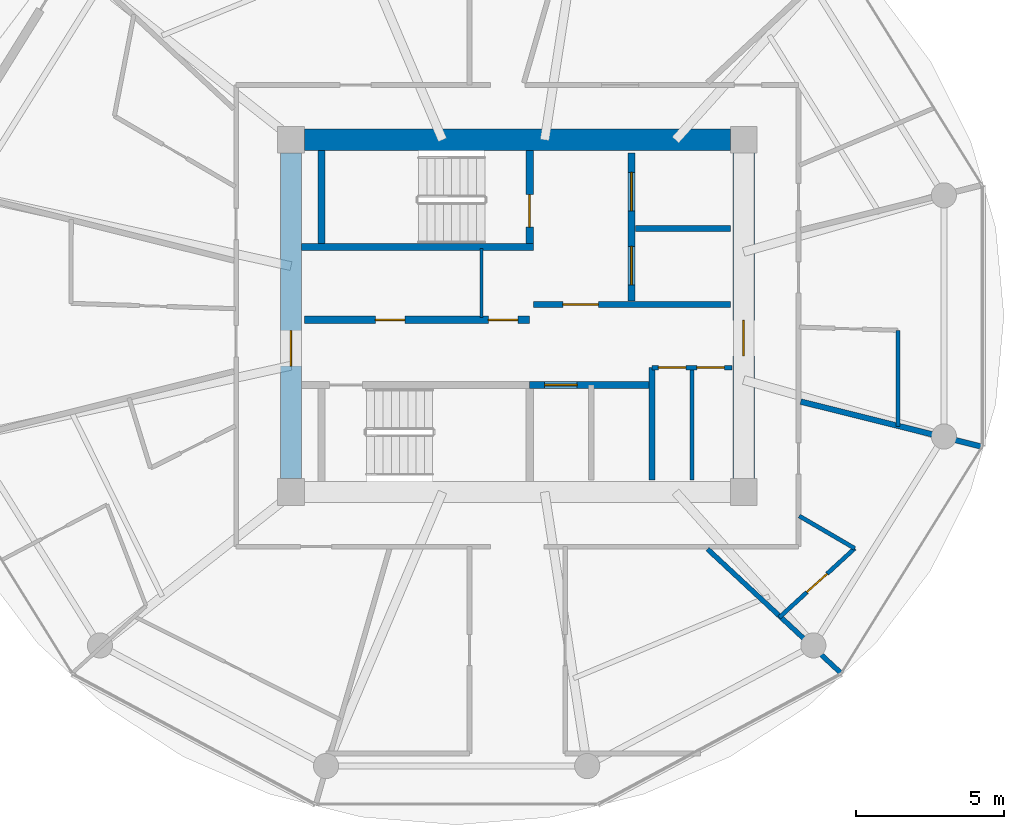
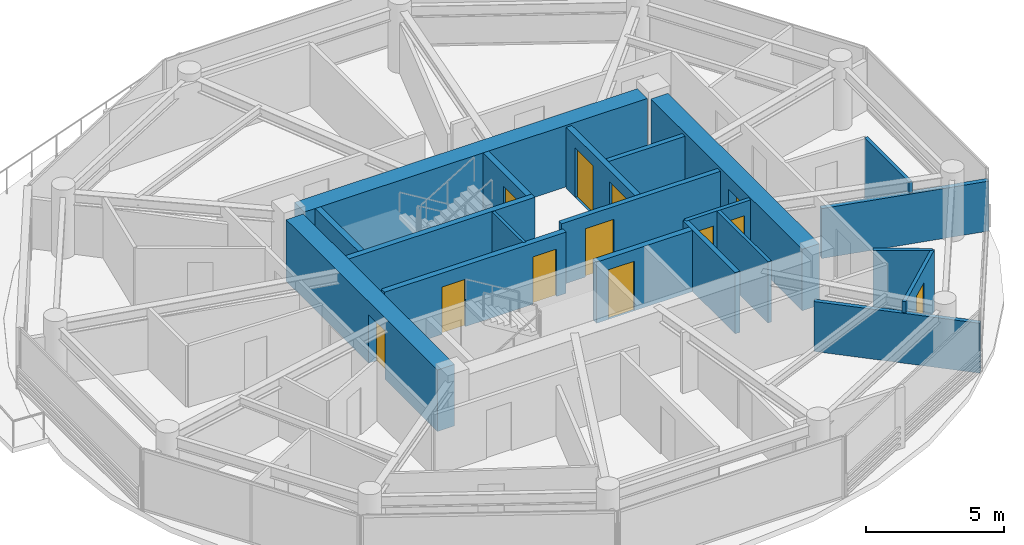
# One storey, part 17 of 22: 20 walls, 12 doors, 12 openings.
"""IFC4 building model written with IfcOpenShell, lengths in metres."""

from ifc_helpers import new_model, si_unit, direction, frame, frame_2d, origin, place, context, subcontext, project, spatial, rectangle, extrude, source, transform, mapped, material, layer, layer_set, type_object, type_shapes, element, fill, save


model = new_model("IFC4")

# Units and contexts
model_context = context("Model", 3, precision=1e-05, world=origin(), true_north=direction((0.0, 1.0)))
body_context = subcontext(model_context, "Body", "Model", "MODEL_VIEW")
ifc_project = project(units=[si_unit("LENGTHUNIT", "METRE"), si_unit("AREAUNIT", "SQUARE_METRE"), si_unit("VOLUMEUNIT", "CUBIC_METRE"), si_unit("PLANEANGLEUNIT", "RADIAN"), si_unit("MASSUNIT", "GRAM", prefix="KILO")], contexts=[model_context])

# Site, building, storey
site_placement = place(None, origin())
site = spatial("IfcSite", under=ifc_project, at=site_placement, CompositionType="ELEMENT")
building_placement = place(site_placement, origin())
building = spatial("IfcBuilding", under=site, at=building_placement, Name="Norrkilde Senior Care Towers", CompositionType="ELEMENT")
storey_placement = place(building_placement, frame((0.0, 0.0, 126.75)))
storey = spatial("IfcBuildingStorey", under=building, at=storey_placement, Name="L39", CompositionType="ELEMENT", Elevation=126.75)

# Wall
ifc_material_1 = material(Name="Concrete C60/75", Category="concrete")
ifc_layer_1 = layer(ifc_material_1, 0.719970703125)
ifc_layer_set_1 = layer_set([ifc_layer_1], Name="Concrete C60/75")
wall_type_1 = type_object("IfcWallType", Name="Core Shear Wall Z2 720", PredefinedType="SHEAR", material=ifc_layer_set_1)
shared_shape_1 = source(origin(), body_context, "Body", "SweptSolid", [
    extrude(rectangle(XDim=14.39990234375, YDim=0.719970703125, at=frame_2d((7.199951171875, 0.0))), origin(), (0.0, 0.0, 1.0), 2.72998046875),
])
wall_1_placement = place(storey_placement, frame((20.800048828125, 5.949951171875, 0.0), z_axis=(0.0, 0.0, 1.0), x_axis=(1.0, 0.0, 0.0)))
element("IfcWall", 1, at=wall_1_placement, inside=storey, type_object=wall_type_1, Name="L39 Core E North Shear Wall", PredefinedType="SHEAR", context=body_context, shape_type="MappedRepresentation", body=[
    mapped(shared_shape_1, transform((0.0, 0.0, 0.0), x_axis=(1.0, 0.0, 0.0), y_axis=(0.0, 1.0, 0.0), z_axis=(0.0, 0.0, 1.0), scale=1.0)),
])

# Wall, opening, door
shared_shape_2 = source(origin(), body_context, "Body", "SweptSolid", [
    extrude(rectangle(XDim=11.0, YDim=0.719970703125, at=frame_2d((5.5, 0.0))), origin(), (0.0, 0.0, 1.0), 2.72998046875),
])
type_shapes(wall_type_1, [shared_shape_1, shared_shape_2])
wall_2_placement = place(storey_placement, frame((20.35009765625, -5.5, 0.0), z_axis=(0.0, 0.0, 1.0), x_axis=(0.0, 1.0, 0.0)))
wall_2 = element("IfcWall", 2, at=wall_2_placement, inside=storey, type_object=wall_type_1, Name="L39 Core E West Shear Wall", PredefinedType="SHEAR", context=body_context, shape_type="MappedRepresentation", body=[
    mapped(shared_shape_2, transform((0.0, 0.0, 0.0), x_axis=(1.0, 0.0, 0.0), y_axis=(0.0, 1.0, 0.0), z_axis=(0.0, 0.0, 1.0), scale=1.0)),
])
opening_1_placement = place(wall_2_placement, frame((3.800048828125, 0.0, 0.0)))
opening_1 = element("IfcOpeningElement", 3, at=opening_1_placement, cuts=wall_2, Name="Opening D-04", PredefinedType="OPENING", context=body_context, shape_type="SweptSolid", body=[
    extrude(rectangle(XDim=1.199951171875, YDim=2.14990234375, at=frame_2d((0.60009765625, 1.074951171875))), frame((0.0, 0.369873046875, 0.0), z_axis=(0.0, -1.0, 0.0), x_axis=(1.0, 0.0, 0.0)), (0.0, 0.0, 1.0), 0.739990234375),
])
ifc_material_2 = material(Name="Galvanised Painted Steel", Category="steel")
door_type_1 = type_object("IfcDoorType", Name="Firefighting Lobby Fire Door 1200x2150", OperationType="NOTDEFINED", PredefinedType="DOOR", material=ifc_material_2)
shared_shape_3 = source(origin(), body_context, "Body", "SweptSolid", [
    extrude(rectangle(XDim=1.199951171875, YDim=2.14990234375, at=frame_2d((0.60009765625, 1.074951171875))), frame((0.0, 0.02490234375, 0.0), z_axis=(0.0, -1.0, 0.0), x_axis=(1.0, 0.0, 0.0)), (0.0, 0.0, 1.0), 0.050048828125),
])
type_shapes(door_type_1, [shared_shape_3])
door_1_placement = place(opening_1_placement, frame((1.199951171875, 0.0, 0.0), z_axis=(0.0, 0.0, 1.0), x_axis=(-1.0, 0.0, 0.0)))
door_1 = element("IfcDoor", 4, at=door_1_placement, inside=storey, type_object=door_type_1, Name="L39 Core E West Portal Door", OperationType="SINGLE_SWING_LEFT", OverallHeight=2.14990234375, OverallWidth=1.199951171875, PredefinedType="DOOR", context=body_context, shape_type="MappedRepresentation", body=[
    mapped(shared_shape_3, transform((0.0, 0.0, 0.0), x_axis=(1.0, 0.0, 0.0), y_axis=(0.0, 1.0, 0.0), z_axis=(0.0, 0.0, 1.0), scale=1.0)),
])
fill(opening_1, door_1)

wall_3_placement = place(storey_placement, frame((35.64990234375, 5.5, 0.0), z_axis=(0.0, 0.0, 1.0), x_axis=(0.0, -1.0, 0.0)))
wall_3 = element("IfcWall", 5, at=wall_3_placement, inside=storey, type_object=wall_type_1, Name="L39 Core E East Shear Wall", PredefinedType="SHEAR", context=body_context, shape_type="MappedRepresentation", body=[
    mapped(shared_shape_2, transform((0.0, 0.0, 0.0), x_axis=(1.0, 0.0, 0.0), y_axis=(0.0, 1.0, 0.0), z_axis=(0.0, 0.0, 1.0), scale=1.0)),
])
opening_2_placement = place(wall_3_placement, frame((5.64990234375, 0.0, 0.0)))
opening_2 = element("IfcOpeningElement", 6, at=opening_2_placement, cuts=wall_3, Name="Opening D-04", PredefinedType="OPENING", context=body_context, shape_type="SweptSolid", body=[
    extrude(rectangle(XDim=1.199951171875, YDim=2.14990234375, at=frame_2d((0.60009765625, 1.074951171875))), frame((0.0, 0.369873046875, 0.0), z_axis=(0.0, -1.0, 0.0), x_axis=(1.0, 0.0, 0.0)), (0.0, 0.0, 1.0), 0.739990234375),
])
door_2_placement = place(opening_2_placement, frame((1.199951171875, 0.0, 0.0), z_axis=(0.0, 0.0, 1.0), x_axis=(-1.0, 0.0, 0.0)))
door_2 = element("IfcDoor", 7, at=door_2_placement, inside=storey, type_object=door_type_1, Name="L39 Core E East Portal Door", OperationType="SINGLE_SWING_RIGHT", OverallHeight=2.14990234375, OverallWidth=1.199951171875, PredefinedType="DOOR", context=body_context, shape_type="MappedRepresentation", body=[
    mapped(shared_shape_3, transform((0.0, 0.0, 0.0), x_axis=(1.0, 0.0, 0.0), y_axis=(0.0, 1.0, 0.0), z_axis=(0.0, 0.0, 1.0), scale=1.0)),
])
fill(opening_2, door_2)

# Wall, openings, doors
ifc_material_3 = material(Name="Concrete C45/55", Category="concrete")
ifc_layer_2 = layer(ifc_material_3, 0.239990234375)
ifc_layer_set_2 = layer_set([ifc_layer_2], Name="Concrete C45/55")
wall_type_2 = type_object("IfcWallType", Name="Lift and Plant Rated Enclosure Partition 240", PredefinedType="PARTITIONING", material=ifc_layer_set_2)
shared_shape_4 = source(origin(), body_context, "Body", "SweptSolid", [
    extrude(rectangle(XDim=5.0, YDim=0.239990234375, at=frame_2d((2.5, 0.0))), origin(), (0.0, 0.0, 1.0), 2.715087890625),
])
wall_4_placement = place(storey_placement, frame((31.860107421875, 0.5, 0.0), z_axis=(0.0, 0.0, 1.0), x_axis=(0.0, 1.0, 0.0)))
wall_4 = element("IfcWall", 8, at=wall_4_placement, inside=storey, type_object=wall_type_2, Name="WL-INT-L39-E-FFLE", PredefinedType="PARTITIONING", context=body_context, shape_type="MappedRepresentation", body=[
    mapped(shared_shape_4, transform((0.0, 0.0, 0.0), x_axis=(1.0, 0.0, 0.0), y_axis=(0.0, 1.0, 0.0), z_axis=(0.0, 0.0, 1.0), scale=1.0)),
])
opening_3_placement = place(wall_4_placement, frame((3.050048828125, 0.0, 0.0)))
opening_3 = element("IfcOpeningElement", 9, at=opening_3_placement, cuts=wall_4, Name="Opening LD-02", PredefinedType="OPENING", context=body_context, shape_type="SweptSolid", body=[
    extrude(rectangle(XDim=1.300048828125, YDim=2.199951171875, at=frame_2d((0.64990234375, 1.10009765625))), frame((0.0, 0.1298828125, 0.0), z_axis=(0.0, -1.0, 0.0), x_axis=(1.0, 0.0, 0.0)), (0.0, 0.0, 1.0), 0.260009765625),
])
opening_4_placement = place(wall_4_placement, frame((0.550048828125, 0.0, 0.0)))
opening_4 = element("IfcOpeningElement", 10, at=opening_4_placement, cuts=wall_4, Name="Opening LD-02", PredefinedType="OPENING", context=body_context, shape_type="SweptSolid", body=[
    extrude(rectangle(XDim=1.300048828125, YDim=2.199951171875, at=frame_2d((0.64990234375, 1.10009765625))), frame((0.0, 0.1298828125, 0.0), z_axis=(0.0, -1.0, 0.0), x_axis=(1.0, 0.0, 0.0)), (0.0, 0.0, 1.0), 0.260009765625),
])
ifc_material_4 = material(Name="Stainless Steel", Category="steel")
door_type_2 = type_object("IfcDoorType", Name="Stretcher and FFL Landing Sliding Door 1300x2200", OperationType="NOTDEFINED", PredefinedType="DOOR", material=ifc_material_4)
shared_shape_5 = source(origin(), body_context, "Body", "SweptSolid", [
    extrude(rectangle(XDim=1.300048828125, YDim=2.199951171875, at=frame_2d((0.64990234375, 1.10009765625))), frame((0.0, 0.02490234375, 0.0), z_axis=(0.0, -1.0, 0.0), x_axis=(1.0, 0.0, 0.0)), (0.0, 0.0, 1.0), 0.050048828125),
])
type_shapes(door_type_2, [shared_shape_5])
door_3_placement = place(opening_3_placement, origin())
door_3 = element("IfcDoor", 11, at=door_3_placement, inside=storey, type_object=door_type_2, Name="L39 Firefighting Lift E1 Landing Door", OperationType="SLIDING_TO_LEFT", OverallHeight=2.199951171875, OverallWidth=1.300048828125, PredefinedType="DOOR", context=body_context, shape_type="MappedRepresentation", body=[
    mapped(shared_shape_5, transform((0.0, 0.0, 0.0), x_axis=(1.0, 0.0, 0.0), y_axis=(0.0, 1.0, 0.0), z_axis=(0.0, 0.0, 1.0), scale=1.0)),
])
fill(opening_3, door_3)
door_4_placement = place(opening_4_placement, origin())
door_4 = element("IfcDoor", 12, at=door_4_placement, inside=storey, type_object=door_type_2, Name="L39 Stretcher Lift E1 Landing Door", OperationType="SLIDING_TO_RIGHT", OverallHeight=2.199951171875, OverallWidth=1.300048828125, PredefinedType="DOOR", context=body_context, shape_type="MappedRepresentation", body=[
    mapped(shared_shape_5, transform((0.0, 0.0, 0.0), x_axis=(1.0, 0.0, 0.0), y_axis=(0.0, 1.0, 0.0), z_axis=(0.0, 0.0, 1.0), scale=1.0)),
])
fill(opening_4, door_4)

# Wall
ifc_layer_3 = layer(ifc_material_3, 0.199951171875)
ifc_layer_set_3 = layer_set([ifc_layer_3], Name="Concrete C45/55")
wall_type_3 = type_object("IfcWallType", Name="Shaft Division and Plant Partition 200", PredefinedType="PARTITIONING", material=ifc_layer_set_3)
shared_shape_6 = source(origin(), body_context, "Body", "SweptSolid", [
    extrude(rectangle(XDim=3.199951171875, YDim=0.199951171875, at=frame_2d((1.60009765625, 0.0))), origin(), (0.0, 0.0, 1.0), 2.715087890625),
])
wall_5_placement = place(storey_placement, frame((32.0, 2.949951171875, 0.0), z_axis=(0.0, 0.0, 1.0), x_axis=(1.0, 0.0, 0.0)))
element("IfcWall", 13, at=wall_5_placement, inside=storey, type_object=wall_type_3, Name="WL-INT-L39-E-FFLDIV", PredefinedType="PARTITIONING", context=body_context, shape_type="MappedRepresentation", body=[
    mapped(shared_shape_6, transform((0.0, 0.0, 0.0), x_axis=(1.0, 0.0, 0.0), y_axis=(0.0, 1.0, 0.0), z_axis=(0.0, 0.0, 1.0), scale=1.0)),
])

# Wall, opening, door
ifc_layer_4 = layer(ifc_material_3, 0.2099609375)
ifc_layer_set_4 = layer_set([ifc_layer_4], Name="Concrete C45/55")
wall_type_4 = type_object("IfcWallType", Name="Firefighting Lobby Wall 210", PredefinedType="PARTITIONING", material=ifc_layer_set_4)
shared_shape_7 = source(origin(), body_context, "Body", "SweptSolid", [
    extrude(rectangle(XDim=6.659912109375, YDim=0.2099609375, at=frame_2d((3.330078125, 0.0))), origin(), (0.0, 0.0, 1.0), 2.715087890625),
])
type_shapes(wall_type_4, [shared_shape_7])
wall_6_placement = place(storey_placement, frame((28.5400390625, 0.389892578125, 0.0), z_axis=(0.0, 0.0, 1.0), x_axis=(1.0, 0.0, 0.0)))
wall_6 = element("IfcWall", 14, at=wall_6_placement, inside=storey, type_object=wall_type_4, Name="WL-INT-L39-E-FFLS", PredefinedType="PARTITIONING", context=body_context, shape_type="MappedRepresentation", body=[
    mapped(shared_shape_7, transform((0.0, 0.0, 0.0), x_axis=(1.0, 0.0, 0.0), y_axis=(0.0, 1.0, 0.0), z_axis=(0.0, 0.0, 1.0), scale=1.0)),
])
opening_5_placement = place(wall_6_placement, frame((1.0, 0.0, 0.0)))
opening_5 = element("IfcOpeningElement", 15, at=opening_5_placement, cuts=wall_6, Name="Opening D-04", PredefinedType="OPENING", context=body_context, shape_type="SweptSolid", body=[
    extrude(rectangle(XDim=1.199951171875, YDim=2.14990234375, at=frame_2d((0.60009765625, 1.074951171875))), frame((0.0, 0.114990234375, 0.0), z_axis=(0.0, -1.0, 0.0), x_axis=(1.0, 0.0, 0.0)), (0.0, 0.0, 1.0), 0.22998046875),
])
door_5_placement = place(opening_5_placement, frame((1.199951171875, 0.0, 0.0), z_axis=(0.0, 0.0, 1.0), x_axis=(-1.0, 0.0, 0.0)))
door_5 = element("IfcDoor", 16, at=door_5_placement, inside=storey, type_object=door_type_1, Name="L39 Firefighting Lobby E Door", OperationType="SINGLE_SWING_LEFT", OverallHeight=2.14990234375, OverallWidth=1.199951171875, PredefinedType="DOOR", context=body_context, shape_type="MappedRepresentation", body=[
    mapped(shared_shape_3, transform((0.0, 0.0, 0.0), x_axis=(1.0, 0.0, 0.0), y_axis=(0.0, 1.0, 0.0), z_axis=(0.0, 0.0, 1.0), scale=1.0)),
])
fill(opening_5, door_5)

# Wall, openings, doors
shared_shape_8 = source(origin(), body_context, "Body", "SweptSolid", [
    extrude(rectangle(XDim=7.619873046875, YDim=0.239990234375, at=frame_2d((3.81005859375, 0.0))), origin(), (0.0, 0.0, 1.0), 2.715087890625),
])
wall_7_placement = place(storey_placement, frame((20.800048828125, -0.1298828125, 0.0), z_axis=(0.0, 0.0, 1.0), x_axis=(1.0, 0.0, 0.0)))
wall_7 = element("IfcWall", 17, at=wall_7_placement, inside=storey, type_object=wall_type_2, Name="WL-INT-L39-E-PKAS", PredefinedType="PARTITIONING", context=body_context, shape_type="MappedRepresentation", body=[
    mapped(shared_shape_8, transform((0.0, 0.0, 0.0), x_axis=(1.0, 0.0, 0.0), y_axis=(0.0, 1.0, 0.0), z_axis=(0.0, 0.0, 1.0), scale=1.0)),
])
opening_6_placement = place(wall_7_placement, frame((6.219970703125, 0.0, 0.0)))
opening_6 = element("IfcOpeningElement", 18, at=opening_6_placement, cuts=wall_7, Name="Opening D-10", PredefinedType="OPENING", context=body_context, shape_type="SweptSolid", body=[
    extrude(rectangle(XDim=1.0, YDim=2.10009765625, at=frame_2d((0.5, 1.050048828125))), frame((0.0, 0.1298828125, 0.0), z_axis=(0.0, -1.0, 0.0), x_axis=(1.0, 0.0, 0.0)), (0.0, 0.0, 1.0), 0.260009765625),
])
opening_7_placement = place(wall_7_placement, frame((2.39990234375, 0.0, 0.0)))
opening_7 = element("IfcOpeningElement", 19, at=opening_7_placement, cuts=wall_7, Name="Opening D-10", PredefinedType="OPENING", context=body_context, shape_type="SweptSolid", body=[
    extrude(rectangle(XDim=1.0, YDim=2.10009765625, at=frame_2d((0.5, 1.050048828125))), frame((0.0, 0.1298828125, 0.0), z_axis=(0.0, -1.0, 0.0), x_axis=(1.0, 0.0, 0.0)), (0.0, 0.0, 1.0), 0.260009765625),
])
door_type_3 = type_object("IfcDoorType", Name="Plant and Riser Rated Door 1000x2100", OperationType="NOTDEFINED", PredefinedType="DOOR", material=ifc_material_2)
shared_shape_9 = source(origin(), body_context, "Body", "SweptSolid", [
    extrude(rectangle(XDim=1.0, YDim=2.10009765625, at=frame_2d((0.5, 1.050048828125))), frame((0.0, 0.02490234375, 0.0), z_axis=(0.0, -1.0, 0.0), x_axis=(1.0, 0.0, 0.0)), (0.0, 0.0, 1.0), 0.050048828125),
])
type_shapes(door_type_3, [shared_shape_9])
door_6_placement = place(opening_6_placement, frame((1.0, 0.0, 0.0), z_axis=(0.0, 0.0, 1.0), x_axis=(-1.0, 0.0, 0.0)))
door_6 = element("IfcDoor", 20, at=door_6_placement, inside=storey, type_object=door_type_3, Name="L39 Electrical Riser E Door", OperationType="SINGLE_SWING_LEFT", OverallHeight=2.10009765625, OverallWidth=1.0, PredefinedType="DOOR", context=body_context, shape_type="MappedRepresentation", body=[
    mapped(shared_shape_9, transform((0.0, 0.0, 0.0), x_axis=(1.0, 0.0, 0.0), y_axis=(0.0, 1.0, 0.0), z_axis=(0.0, 0.0, 1.0), scale=1.0)),
])
fill(opening_6, door_6)
door_7_placement = place(opening_7_placement, frame((1.0, 0.0, 0.0), z_axis=(0.0, 0.0, 1.0), x_axis=(-1.0, 0.0, 0.0)))
door_7 = element("IfcDoor", 21, at=door_7_placement, inside=storey, type_object=door_type_3, Name="L39 Clean Supply Store E Door", OperationType="SINGLE_SWING_LEFT", OverallHeight=2.10009765625, OverallWidth=1.0, PredefinedType="DOOR", context=body_context, shape_type="MappedRepresentation", body=[
    mapped(shared_shape_9, transform((0.0, 0.0, 0.0), x_axis=(1.0, 0.0, 0.0), y_axis=(0.0, 1.0, 0.0), z_axis=(0.0, 0.0, 1.0), scale=1.0)),
])
fill(opening_7, door_7)

# Walls
ifc_material_5 = material(Name="Gypsum Acoustic Board")
ifc_layer_5 = layer(ifc_material_5, 0.114990234375)
ifc_layer_set_5 = layer_set([ifc_layer_5], Name="Gypsum Acoustic Board")
wall_type_5 = type_object("IfcWallType", Name="Internal Room Partition 115", PredefinedType="PARTITIONING", material=ifc_layer_set_5)
shared_shape_10 = source(origin(), body_context, "Body", "SweptSolid", [
    extrude(rectangle(XDim=2.330078125, YDim=0.114990234375, at=frame_2d((1.1650390625, 0.0))), origin(), (0.0, 0.0, 1.0), 2.715087890625),
])
type_shapes(wall_type_5, [shared_shape_10])
wall_8_placement = place(storey_placement, frame((26.7900390625, -0.050048828125, 0.0), z_axis=(0.0, 0.0, 1.0), x_axis=(0.0, 1.0, 0.0)))
element("IfcWall", 22, at=wall_8_placement, inside=storey, type_object=wall_type_5, Name="WL-INT-L39-E-RISW", PredefinedType="PARTITIONING", context=body_context, shape_type="MappedRepresentation", body=[
    mapped(shared_shape_10, transform((0.0, 0.0, 0.0), x_axis=(1.0, 0.0, 0.0), y_axis=(0.0, 1.0, 0.0), z_axis=(0.0, 0.0, 1.0), scale=1.0)),
])
shared_shape_11 = source(origin(), body_context, "Body", "SweptSolid", [
    extrude(rectangle(XDim=3.800048828125, YDim=0.199951171875, at=frame_2d((1.89990234375, 0.0))), origin(), (0.0, 0.0, 1.0), 2.715087890625),
])
type_shapes(wall_type_3, [shared_shape_6, shared_shape_11])
wall_9_placement = place(storey_placement, frame((32.550048828125, -5.550048828125, 0.0), z_axis=(0.0, 0.0, 1.0), x_axis=(0.0, 1.0, 0.0)))
element("IfcWall", 23, at=wall_9_placement, inside=storey, type_object=wall_type_3, Name="WL-INT-L39-E-PKBE", PredefinedType="PARTITIONING", context=body_context, shape_type="MappedRepresentation", body=[
    mapped(shared_shape_11, transform((0.0, 0.0, 0.0), x_axis=(1.0, 0.0, 0.0), y_axis=(0.0, 1.0, 0.0), z_axis=(0.0, 0.0, 1.0), scale=1.0)),
])

# Wall, opening, door
shared_shape_12 = source(origin(), body_context, "Body", "SweptSolid", [
    extrude(rectangle(XDim=4.130126953125, YDim=0.239990234375, at=frame_2d((2.06494140625, 0.0))), origin(), (0.0, 0.0, 1.0), 2.715087890625),
])
type_shapes(wall_type_2, [shared_shape_4, shared_shape_8, shared_shape_12])
wall_10_placement = place(storey_placement, frame((28.419921875, -2.330078125, 0.0), z_axis=(0.0, 0.0, 1.0), x_axis=(1.0, 0.0, 0.0)))
wall_10 = element("IfcWall", 24, at=wall_10_placement, inside=storey, type_object=wall_type_2, Name="WL-INT-L39-E-PKBN", PredefinedType="PARTITIONING", context=body_context, shape_type="MappedRepresentation", body=[
    mapped(shared_shape_12, transform((0.0, 0.0, 0.0), x_axis=(1.0, 0.0, 0.0), y_axis=(0.0, 1.0, 0.0), z_axis=(0.0, 0.0, 1.0), scale=1.0)),
])
opening_8_placement = place(wall_10_placement, frame((0.5, 0.0, 0.0)))
opening_8 = element("IfcOpeningElement", 25, at=opening_8_placement, cuts=wall_10, Name="Opening LD-01", PredefinedType="OPENING", context=body_context, shape_type="SweptSolid", body=[
    extrude(rectangle(XDim=1.10009765625, YDim=2.199951171875, at=frame_2d((0.550048828125, 1.10009765625))), frame((0.0, 0.1298828125, 0.0), z_axis=(0.0, -1.0, 0.0), x_axis=(1.0, 0.0, 0.0)), (0.0, 0.0, 1.0), 0.260009765625),
])
door_type_4 = type_object("IfcDoorType", Name="Lift Landing Sliding Door 1100x2200", OperationType="NOTDEFINED", PredefinedType="DOOR", material=ifc_material_4)
shared_shape_13 = source(origin(), body_context, "Body", "SweptSolid", [
    extrude(rectangle(XDim=1.10009765625, YDim=2.199951171875, at=frame_2d((0.550048828125, 1.10009765625))), frame((0.0, 0.02490234375, 0.0), z_axis=(0.0, -1.0, 0.0), x_axis=(1.0, 0.0, 0.0)), (0.0, 0.0, 1.0), 0.050048828125),
])
type_shapes(door_type_4, [shared_shape_13])
door_8_placement = place(opening_8_placement, frame((1.10009765625, 0.0, 0.0), z_axis=(0.0, 0.0, 1.0), x_axis=(-1.0, 0.0, 0.0)))
door_8 = element("IfcDoor", 26, at=door_8_placement, inside=storey, type_object=door_type_4, Name="L39 Passenger Lift E3 Landing Door", OperationType="SLIDING_TO_LEFT", OverallHeight=2.199951171875, OverallWidth=1.10009765625, PredefinedType="DOOR", context=body_context, shape_type="MappedRepresentation", body=[
    mapped(shared_shape_13, transform((0.0, 0.0, 0.0), x_axis=(1.0, 0.0, 0.0), y_axis=(0.0, 1.0, 0.0), z_axis=(0.0, 0.0, 1.0), scale=1.0)),
])
fill(opening_8, door_8)

# Wall, openings, doors
ifc_layer_6 = layer(ifc_material_5, 0.1650390625)
ifc_layer_set_6 = layer_set([ifc_layer_6], Name="Gypsum Acoustic Board")
wall_type_6 = type_object("IfcWallType", Name="Corridor Rated Partition 165", PredefinedType="PARTITIONING", material=ifc_layer_set_6)
shared_shape_14 = source(origin(), body_context, "Body", "SweptSolid", [
    extrude(rectangle(XDim=2.699951171875, YDim=0.1650390625, at=frame_2d((1.35009765625, 0.0))), origin(), (0.0, 0.0, 1.0), 2.715087890625),
])
wall_11_placement = place(storey_placement, frame((32.550048828125, -1.75, 0.0), z_axis=(0.0, 0.0, 1.0), x_axis=(1.0, 0.0, 0.0)))
wall_11 = element("IfcWall", 27, at=wall_11_placement, inside=storey, type_object=wall_type_6, Name="WL-INT-L39-E-CSN", PredefinedType="PARTITIONING", context=body_context, shape_type="MappedRepresentation", body=[
    mapped(shared_shape_14, transform((0.0, 0.0, 0.0), x_axis=(1.0, 0.0, 0.0), y_axis=(0.0, 1.0, 0.0), z_axis=(0.0, 0.0, 1.0), scale=1.0)),
])
opening_9_placement = place(wall_11_placement, frame((0.222412109375, 0.0, 0.0)))
opening_9 = element("IfcOpeningElement", 28, at=opening_9_placement, cuts=wall_11, Name="Opening D-12", PredefinedType="OPENING", context=body_context, shape_type="SweptSolid", body=[
    extrude(rectangle(XDim=0.925048828125, YDim=2.10009765625, at=frame_2d((0.46240234375, 1.050048828125))), frame((0.0, 0.092529296875, 0.0), z_axis=(0.0, -1.0, 0.0), x_axis=(1.0, 0.0, 0.0)), (0.0, 0.0, 1.0), 0.18505859375),
])
opening_10_placement = place(wall_11_placement, frame((1.5224609375, 0.0, 0.0)))
opening_10 = element("IfcOpeningElement", 29, at=opening_10_placement, cuts=wall_11, Name="Opening D-12", PredefinedType="OPENING", context=body_context, shape_type="SweptSolid", body=[
    extrude(rectangle(XDim=0.925048828125, YDim=2.10009765625, at=frame_2d((0.46240234375, 1.050048828125))), frame((0.0, 0.092529296875, 0.0), z_axis=(0.0, -1.0, 0.0), x_axis=(1.0, 0.0, 0.0)), (0.0, 0.0, 1.0), 0.18505859375),
])
door_type_5 = type_object("IfcDoorType", Name="Core Wet Room Rated Door 925x2100", OperationType="NOTDEFINED", PredefinedType="DOOR", material=ifc_material_2)
shared_shape_15 = source(origin(), body_context, "Body", "SweptSolid", [
    extrude(rectangle(XDim=0.925048828125, YDim=2.10009765625, at=frame_2d((0.46240234375, 1.050048828125))), frame((0.0, 0.02490234375, 0.0), z_axis=(0.0, -1.0, 0.0), x_axis=(1.0, 0.0, 0.0)), (0.0, 0.0, 1.0), 0.050048828125),
])
type_shapes(door_type_5, [shared_shape_15])
door_9_placement = place(opening_9_placement, origin())
door_9 = element("IfcDoor", 30, at=door_9_placement, inside=storey, type_object=door_type_5, Name="L39 Staff Accessible WC E Door", OperationType="SINGLE_SWING_LEFT", OverallHeight=2.10009765625, OverallWidth=0.925048828125, PredefinedType="DOOR", context=body_context, shape_type="MappedRepresentation", body=[
    mapped(shared_shape_15, transform((0.0, 0.0, 0.0), x_axis=(1.0, 0.0, 0.0), y_axis=(0.0, 1.0, 0.0), z_axis=(0.0, 0.0, 1.0), scale=1.0)),
])
fill(opening_9, door_9)
door_10_placement = place(opening_10_placement, origin())
door_10 = element("IfcDoor", 31, at=door_10_placement, inside=storey, type_object=door_type_5, Name="L39 Housekeeping Store E Door", OperationType="SINGLE_SWING_RIGHT", OverallHeight=2.10009765625, OverallWidth=0.925048828125, PredefinedType="DOOR", context=body_context, shape_type="MappedRepresentation", body=[
    mapped(shared_shape_15, transform((0.0, 0.0, 0.0), x_axis=(1.0, 0.0, 0.0), y_axis=(0.0, 1.0, 0.0), z_axis=(0.0, 0.0, 1.0), scale=1.0)),
])
fill(opening_10, door_10)

# Walls
ifc_layer_7 = layer(ifc_material_5, 0.139892578125)
ifc_layer_set_7 = layer_set([ifc_layer_7], Name="Gypsum Acoustic Board")
wall_type_7 = type_object("IfcWallType", Name="En-suite Wet Room Wall 140", PredefinedType="PARTITIONING", material=ifc_layer_set_7)
shared_shape_16 = source(origin(), body_context, "Body", "SweptSolid", [
    extrude(rectangle(XDim=3.800048828125, YDim=0.139892578125, at=frame_2d((1.89990234375, 0.0))), origin(), (0.0, 0.0, 1.0), 2.715087890625),
])
wall_12_placement = place(storey_placement, frame((33.89990234375, -5.550048828125, 0.0), z_axis=(0.0, 0.0, 1.0), x_axis=(0.0, 1.0, 0.0)))
element("IfcWall", 32, at=wall_12_placement, inside=storey, type_object=wall_type_7, Name="WL-INT-L39-E-CS1V", PredefinedType="PARTITIONING", context=body_context, shape_type="MappedRepresentation", body=[
    mapped(shared_shape_16, transform((0.0, 0.0, 0.0), x_axis=(1.0, 0.0, 0.0), y_axis=(0.0, 1.0, 0.0), z_axis=(0.0, 0.0, 1.0), scale=1.0)),
])
ifc_layer_8 = layer(ifc_material_3, 0.239990234375)
ifc_layer_set_8 = layer_set([ifc_layer_8], Name="Concrete C45/55")
wall_type_8 = type_object("IfcWallType", Name="Shaft and Stair Enclosure Wall 240", PredefinedType="PARTITIONING", material=ifc_layer_set_8)
shared_shape_17 = source(origin(), body_context, "Body", "SweptSolid", [
    extrude(rectangle(XDim=7.830078125, YDim=0.239990234375, at=frame_2d((3.9150390625, 0.0))), origin(), (0.0, 0.0, 1.0), 2.72998046875),
])
wall_13_placement = place(storey_placement, frame((20.7099609375, 2.330078125, 0.0), z_axis=(0.0, 0.0, 1.0), x_axis=(1.0, 0.0, 0.0)))
element("IfcWall", 33, at=wall_13_placement, inside=storey, type_object=wall_type_8, Name="WL-INT-L39-E-ST1S", PredefinedType="PARTITIONING", context=body_context, shape_type="MappedRepresentation", body=[
    mapped(shared_shape_17, transform((0.0, 0.0, 0.0), x_axis=(1.0, 0.0, 0.0), y_axis=(0.0, 1.0, 0.0), z_axis=(0.0, 0.0, 1.0), scale=1.0)),
])
shared_shape_18 = source(origin(), body_context, "Body", "SweptSolid", [
    extrude(rectangle(XDim=3.14013671875, YDim=0.239990234375, at=frame_2d((1.570068359375, 0.0))), origin(), (0.0, 0.0, 1.0), 2.72998046875),
])
type_shapes(wall_type_8, [shared_shape_17, shared_shape_18])
wall_14_placement = place(storey_placement, frame((21.3798828125, 2.449951171875, 0.0), z_axis=(0.0, 0.0, 1.0), x_axis=(0.0, 1.0, 0.0)))
element("IfcWall", 34, at=wall_14_placement, inside=storey, type_object=wall_type_8, Name="WL-INT-L39-E-ST1W", PredefinedType="PARTITIONING", context=body_context, shape_type="MappedRepresentation", body=[
    mapped(shared_shape_18, transform((0.0, 0.0, 0.0), x_axis=(1.0, 0.0, 0.0), y_axis=(0.0, 1.0, 0.0), z_axis=(0.0, 0.0, 1.0), scale=1.0)),
])

# Wall, opening, door
wall_15_placement = place(storey_placement, frame((28.419921875, 2.449951171875, 0.0), z_axis=(0.0, 0.0, 1.0), x_axis=(0.0, 1.0, 0.0)))
wall_15 = element("IfcWall", 35, at=wall_15_placement, inside=storey, type_object=wall_type_8, Name="WL-INT-L39-E-ST1E", PredefinedType="PARTITIONING", context=body_context, shape_type="MappedRepresentation", body=[
    mapped(shared_shape_18, transform((0.0, 0.0, 0.0), x_axis=(1.0, 0.0, 0.0), y_axis=(0.0, 1.0, 0.0), z_axis=(0.0, 0.0, 1.0), scale=1.0)),
])
opening_11_placement = place(wall_15_placement, frame((0.550048828125, 0.0, 0.0)))
opening_11 = element("IfcOpeningElement", 36, at=opening_11_placement, cuts=wall_15, Name="Opening D-03", PredefinedType="OPENING", context=body_context, shape_type="SweptSolid", body=[
    extrude(rectangle(XDim=1.10009765625, YDim=2.14990234375, at=frame_2d((0.550048828125, 1.074951171875))), frame((0.0, 0.1298828125, 0.0), z_axis=(0.0, -1.0, 0.0), x_axis=(1.0, 0.0, 0.0)), (0.0, 0.0, 1.0), 0.260009765625),
])
door_type_6 = type_object("IfcDoorType", Name="Stairwell Protected Fire Door 1100x2150", OperationType="NOTDEFINED", PredefinedType="DOOR", material=ifc_material_2)
shared_shape_19 = source(origin(), body_context, "Body", "SweptSolid", [
    extrude(rectangle(XDim=1.10009765625, YDim=2.14990234375, at=frame_2d((0.550048828125, 1.074951171875))), frame((0.0, 0.02490234375, 0.0), z_axis=(0.0, -1.0, 0.0), x_axis=(1.0, 0.0, 0.0)), (0.0, 0.0, 1.0), 0.050048828125),
])
type_shapes(door_type_6, [shared_shape_19])
door_11_placement = place(opening_11_placement, origin())
door_11 = element("IfcDoor", 37, at=door_11_placement, inside=storey, type_object=door_type_6, Name="L39 Stair E1 Fire Door", OperationType="SINGLE_SWING_LEFT", OverallHeight=2.14990234375, OverallWidth=1.10009765625, PredefinedType="DOOR", context=body_context, shape_type="MappedRepresentation", body=[
    mapped(shared_shape_19, transform((0.0, 0.0, 0.0), x_axis=(1.0, 0.0, 0.0), y_axis=(0.0, 1.0, 0.0), z_axis=(0.0, 0.0, 1.0), scale=1.0)),
])
fill(opening_11, door_11)

# Walls
shared_shape_20 = source(origin(), body_context, "Body", "SweptSolid", [
    extrude(rectangle(XDim=6.186767578125, YDim=0.1650390625, at=frame_2d((3.09326171875, 0.0))), origin(), (0.0, 0.0, 1.0), 2.215087890625),
])
type_shapes(wall_type_6, [shared_shape_14, shared_shape_20])
wall_16_placement = place(storey_placement, frame((34.428955078125, -7.8798828125, 0.0), z_axis=(0.0, 0.0, 1.0), x_axis=(0.732501077882, -0.680765870841, 0.0)))
element("IfcWall", 38, at=wall_16_placement, inside=storey, type_object=wall_type_6, Name="WL-INT-L39-E-DEM-10-0", PredefinedType="PARTITIONING", context=body_context, shape_type="MappedRepresentation", body=[
    mapped(shared_shape_20, transform((0.0, 0.0, 0.0), x_axis=(1.0, 0.0, 0.0), y_axis=(0.0, 1.0, 0.0), z_axis=(0.0, 0.0, 1.0), scale=1.0)),
])
ifc_layer_9 = layer(ifc_material_5, 0.18994140625)
ifc_layer_set_9 = layer_set([ifc_layer_9], Name="Gypsum Acoustic Board")
wall_type_9 = type_object("IfcWallType", Name="Unit Demising Acoustic Wall 190", PredefinedType="PARTITIONING", material=ifc_layer_set_9)
shared_shape_21 = source(origin(), body_context, "Body", "SweptSolid", [
    extrude(rectangle(XDim=6.33056640625, YDim=0.18994140625, at=frame_2d((3.165283203125, 0.0))), origin(), (0.0, 0.0, 1.0), 2.215087890625),
])
type_shapes(wall_type_9, [shared_shape_21])
wall_17_placement = place(storey_placement, frame((37.580078125, -2.89599609375, 0.0), z_axis=(0.0, 0.0, 1.0), x_axis=(0.97036440661, -0.241646267062, 0.0)))
element("IfcWall", 39, at=wall_17_placement, inside=storey, type_object=wall_type_9, Name="WL-INT-L39-E-DEM-11-0", PredefinedType="PARTITIONING", context=body_context, shape_type="MappedRepresentation", body=[
    mapped(shared_shape_21, transform((0.0, 0.0, 0.0), x_axis=(1.0, 0.0, 0.0), y_axis=(0.0, 1.0, 0.0), z_axis=(0.0, 0.0, 1.0), scale=1.0)),
])
shared_shape_22 = source(origin(), body_context, "Body", "SweptSolid", [
    extrude(rectangle(XDim=2.171630859375, YDim=0.139892578125, at=frame_2d((1.0859375, 0.0))), origin(), (0.0, 0.0, 1.0), 2.715087890625),
])
wall_18_placement = place(storey_placement, frame((37.530029296875, -6.761962890625, 0.0), z_axis=(0.0, 0.0, 1.0), x_axis=(0.863562702562, -0.504241468688, 0.0)))
element("IfcWall", 40, at=wall_18_placement, inside=storey, type_object=wall_type_7, Name="WL-INT-L39-E-ES-10", PredefinedType="PARTITIONING", context=body_context, shape_type="MappedRepresentation", body=[
    mapped(shared_shape_22, transform((0.0, 0.0, 0.0), x_axis=(1.0, 0.0, 0.0), y_axis=(0.0, 1.0, 0.0), z_axis=(0.0, 0.0, 1.0), scale=1.0)),
])

# Wall, opening, door
shared_shape_23 = source(origin(), body_context, "Body", "SweptSolid", [
    extrude(rectangle(XDim=3.456787109375, YDim=0.139892578125, at=frame_2d((1.728515625, 0.0))), origin(), (0.0, 0.0, 1.0), 2.715087890625),
])
wall_19_placement = place(storey_placement, frame((39.4052734375, -7.85693359375, 0.0), z_axis=(0.0, 0.0, 1.0), x_axis=(-0.737567375492, -0.675273549467, 0.0)))
wall_19 = element("IfcWall", 41, at=wall_19_placement, inside=storey, type_object=wall_type_7, Name="WL-INT-L39-E-EF-10", PredefinedType="PARTITIONING", context=body_context, shape_type="MappedRepresentation", body=[
    mapped(shared_shape_23, transform((0.0, 0.0, 0.0), x_axis=(1.0, 0.0, 0.0), y_axis=(0.0, 1.0, 0.0), z_axis=(0.0, 0.0, 1.0), scale=1.0)),
])
opening_12_placement = place(wall_19_placement, frame((1.268310546875, 0.0, 0.0)))
opening_12 = element("IfcOpeningElement", 42, at=opening_12_placement, cuts=wall_19, Name="Opening D-08", PredefinedType="OPENING", context=body_context, shape_type="SweptSolid", body=[
    extrude(rectangle(XDim=0.919921875, YDim=2.10009765625, at=frame_2d((0.4599609375, 1.050048828125))), frame((0.0, 0.079833984375, 0.0), z_axis=(0.0, -1.0, 0.0), x_axis=(1.0, 0.0, 0.0)), (0.0, 0.0, 1.0), 0.159912109375),
])
ifc_material_6 = material(Name="Nordic Ash Timber", Category="wood")
door_type_7 = type_object("IfcDoorType", Name="Accessible Wet Room Door 920x2100", OperationType="NOTDEFINED", PredefinedType="DOOR", material=ifc_material_6)
shared_shape_24 = source(origin(), body_context, "Body", "SweptSolid", [
    extrude(rectangle(XDim=0.919921875, YDim=2.10009765625, at=frame_2d((0.4599609375, 1.050048828125))), frame((0.0, 0.02490234375, 0.0), z_axis=(0.0, -1.0, 0.0), x_axis=(1.0, 0.0, 0.0)), (0.0, 0.0, 1.0), 0.050048828125),
])
type_shapes(door_type_7, [shared_shape_24])
door_12_placement = place(opening_12_placement, origin())
door_12 = element("IfcDoor", 43, at=door_12_placement, inside=storey, type_object=door_type_7, Name="L39 Studio 39D Bathroom Door", OperationType="SINGLE_SWING_LEFT", OverallHeight=2.10009765625, OverallWidth=0.919921875, PredefinedType="DOOR", context=body_context, shape_type="MappedRepresentation", body=[
    mapped(shared_shape_24, transform((0.0, 0.0, 0.0), x_axis=(1.0, 0.0, 0.0), y_axis=(0.0, 1.0, 0.0), z_axis=(0.0, 0.0, 1.0), scale=1.0)),
])
fill(opening_12, door_12)

# Wall
shared_shape_25 = source(origin(), body_context, "Body", "SweptSolid", [
    extrude(rectangle(XDim=3.247314453125, YDim=0.139892578125, at=frame_2d((1.62353515625, 0.0))), origin(), (0.0, 0.0, 1.0), 2.715087890625),
])
type_shapes(wall_type_7, [shared_shape_16, shared_shape_22, shared_shape_23, shared_shape_25])
wall_20_placement = place(storey_placement, frame((40.869873046875, -0.48681640625, 0.0), z_axis=(0.0, 0.0, 1.0), x_axis=(-0.002105100215, -0.999997784274, 0.0)))
element("IfcWall", 44, at=wall_20_placement, inside=storey, type_object=wall_type_7, Name="WL-INT-L39-E-EF-11", PredefinedType="PARTITIONING", context=body_context, shape_type="MappedRepresentation", body=[
    mapped(shared_shape_25, transform((0.0, 0.0, 0.0), x_axis=(1.0, 0.0, 0.0), y_axis=(0.0, 1.0, 0.0), z_axis=(0.0, 0.0, 1.0), scale=1.0)),
])

save(model, "model.ifc")
